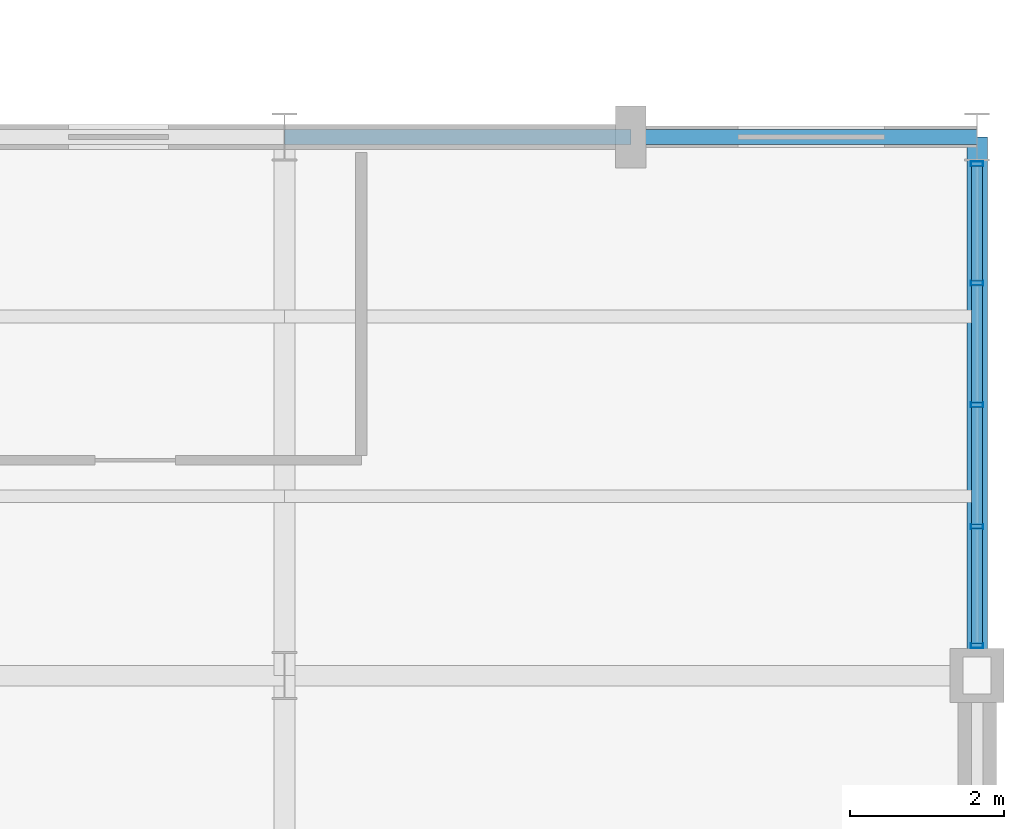
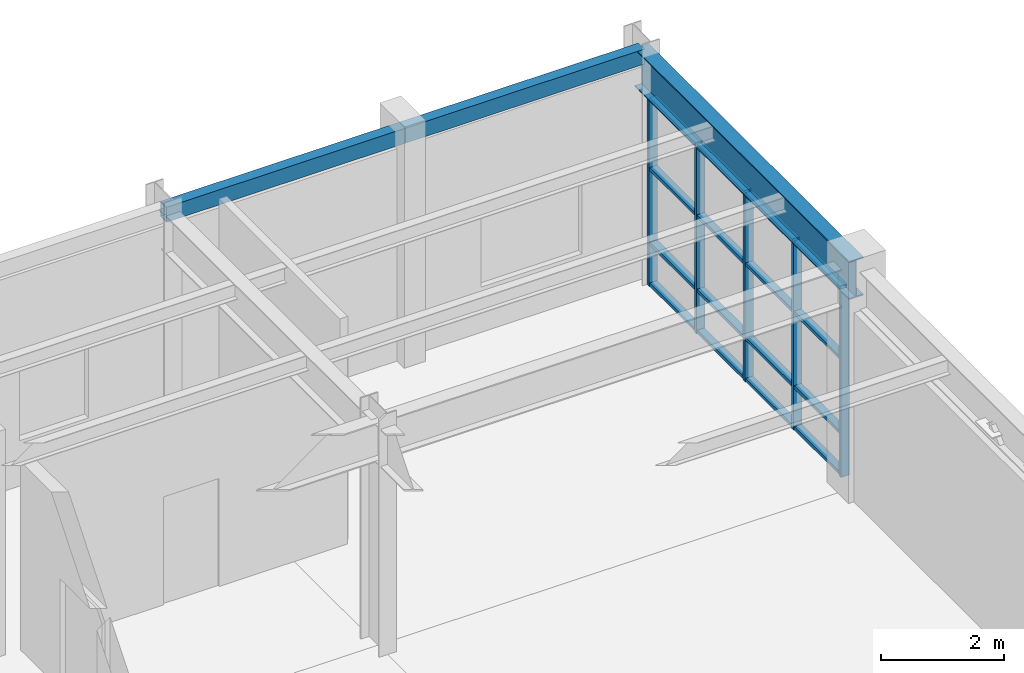
# One storey, part 68 of 99: 21 members, 3 beams, 1 element without a shape of its own.
"""IFC4 building model written with IfcOpenShell, lengths in metres."""

from ifc_helpers import new_model, si_unit, direction, frame, origin, origin_2d, place, context, subcontext, project, spatial, hollow_rectangle, i_section, extrude, material, layer, layer_set, material_profile, profile_set, type_object, element, aggregate, save


model = new_model("IFC4")

# Units and contexts
model_context = context("Model", 3, precision=1e-05, world=origin(), true_north=direction((0.0, 1.0)))
body_context = subcontext(model_context, "Body", "Model", "MODEL_VIEW")
ifc_project = project(units=[si_unit("LENGTHUNIT", "METRE"), si_unit("AREAUNIT", "SQUARE_METRE"), si_unit("VOLUMEUNIT", "CUBIC_METRE"), si_unit("PLANEANGLEUNIT", "RADIAN"), si_unit("MASSUNIT", "GRAM", prefix="KILO")], contexts=[model_context])

# Site, building, storey
site_placement = place(None, origin())
site = spatial("IfcSite", under=ifc_project, at=site_placement, CompositionType="ELEMENT")
building_placement = place(site_placement, origin())
building = spatial("IfcBuilding", under=site, at=building_placement, Name="Ventoquebrada Cableway Terminal", CompositionType="ELEMENT")
storey_placement = place(building_placement, frame((0.0, 0.0, 9.60009765625)))
storey = spatial("IfcBuildingStorey", under=building, at=storey_placement, Name="L02", CompositionType="ELEMENT", Elevation=9.60009765625)

# Beam
ifc_material_1 = material(Name="Steel ASTM A992 Grade 50", Category="steel")
ifc_material_profile_1 = material_profile(ifc_material_1, i_section(OverallWidth=0.26708984375, OverallDepth=0.761962890625, WebThickness=0.014404296875, FlangeThickness=0.021484375, at=origin_2d()), Name="W30X116")
ifc_profile_set_1 = profile_set([ifc_material_profile_1], Name="Steel ASTM A992 Grade 50")
beam_type_1 = type_object("IfcBeamType", Name="BM-ST05", PredefinedType="BEAM", material=ifc_profile_set_1)
beam_placement = place(storey_placement, frame((156.0, 95.0, 4.14892578125), z_axis=(0.0, 1.0, 0.0), x_axis=(-1.0, 0.0, 0.0)))
element("IfcBeam", 1, at=beam_placement, inside=storey, type_object=beam_type_1, Name="Primary frame girder FBM-0884", PredefinedType="BEAM", context=body_context, shape_type="SweptSolid", body=[
    extrude(i_section(OverallWidth=0.26708984375, OverallDepth=0.761962890625, WebThickness=0.014404296875, FlangeThickness=0.021484375, at=origin_2d()), origin(), (0.0, 0.0, 1.0), 7.0),
])

# Curtain wall, members
ifc_material_2 = material(Name="Anodized thermally-broken aluminium", Category="aluminium")
ifc_layer = layer(ifc_material_2, 0.159912109375)
ifc_layer_set = layer_set([ifc_layer], Name="Anodized thermally-broken aluminium")
curtain_wall_type = type_object("IfcCurtainWallType", Name="CW-T35", PredefinedType="USERDEFINED", material=ifc_layer_set)
curtain_wall_placement = place(storey_placement, origin())
curtain_wall = element("IfcCurtainWall", 2, at=curtain_wall_placement, inside=storey, type_object=curtain_wall_type, Name="Unitised glazed curtain wall CW-082", ObjectType="UNITISED CURTAIN WALL", PredefinedType="USERDEFINED")
ifc_material_profile_2 = material_profile(ifc_material_2, hollow_rectangle(XDim=0.06494140625, YDim=0.159912109375, WallThickness=0.00390625, at=origin_2d()), Name="CW-MUL-65X160")
ifc_profile_set_2 = profile_set([ifc_material_profile_2], Name="Anodized thermally-broken aluminium")
member_type_1 = type_object("IfcMemberType", Name="CWM-01", PredefinedType="MULLION", material=ifc_profile_set_2)
member_1_placement = place(storey_placement, frame((156.0, 95.389892578125, -0.008056640625), z_axis=(0.0, 0.0, 1.0), x_axis=(0.0, 1.0, 0.0)))
member_1 = element("IfcMember", 3, at=member_1_placement, type_object=member_type_1, Name="Curtain wall mullion FML-0399", PredefinedType="MULLION", context=body_context, shape_type="SweptSolid", body=[
    extrude(hollow_rectangle(XDim=0.06494140625, YDim=0.159912109375, WallThickness=0.00390625, at=origin_2d()), origin(), (0.0, 0.0, 1.0), 3.77587890625),
])
member_2_placement = place(storey_placement, frame((156.0, 96.93701171875, -0.008056640625), z_axis=(0.0, 0.0, 1.0), x_axis=(0.0, 1.0, 0.0)))
member_2 = element("IfcMember", 4, at=member_2_placement, type_object=member_type_1, Name="Curtain wall mullion FML-0400", PredefinedType="MULLION", context=body_context, shape_type="SweptSolid", body=[
    extrude(hollow_rectangle(XDim=0.06494140625, YDim=0.159912109375, WallThickness=0.00390625, at=origin_2d()), origin(), (0.0, 0.0, 1.0), 3.77587890625),
])
member_3_placement = place(storey_placement, frame((156.0, 98.51904296875, -0.008056640625), z_axis=(0.0, 0.0, 1.0), x_axis=(0.0, 1.0, 0.0)))
member_3 = element("IfcMember", 5, at=member_3_placement, type_object=member_type_1, Name="Curtain wall mullion FML-0401", PredefinedType="MULLION", context=body_context, shape_type="SweptSolid", body=[
    extrude(hollow_rectangle(XDim=0.06494140625, YDim=0.159912109375, WallThickness=0.00390625, at=origin_2d()), origin(), (0.0, 0.0, 1.0), 3.77587890625),
])
member_4_placement = place(storey_placement, frame((156.0, 100.10205078125, -0.008056640625), z_axis=(0.0, 0.0, 1.0), x_axis=(0.0, 1.0, 0.0)))
member_4 = element("IfcMember", 6, at=member_4_placement, type_object=member_type_1, Name="Curtain wall mullion FML-0402", PredefinedType="MULLION", context=body_context, shape_type="SweptSolid", body=[
    extrude(hollow_rectangle(XDim=0.06494140625, YDim=0.159912109375, WallThickness=0.00390625, at=origin_2d()), origin(), (0.0, 0.0, 1.0), 3.77587890625),
])
member_5_placement = place(storey_placement, frame((156.0, 101.64892578125, -0.008056640625), z_axis=(0.0, 0.0, 1.0), x_axis=(0.0, 1.0, 0.0)))
member_5 = element("IfcMember", 7, at=member_5_placement, type_object=member_type_1, Name="Curtain wall mullion FML-0403", PredefinedType="MULLION", context=body_context, shape_type="SweptSolid", body=[
    extrude(hollow_rectangle(XDim=0.06494140625, YDim=0.159912109375, WallThickness=0.00390625, at=origin_2d()), origin(), (0.0, 0.0, 1.0), 3.77587890625),
])
ifc_material_profile_3 = material_profile(ifc_material_2, hollow_rectangle(XDim=0.06494140625, YDim=0.139892578125, WallThickness=0.00390625, at=origin_2d()), Name="CW-TRN-65X140")
ifc_profile_set_3 = profile_set([ifc_material_profile_3], Name="Anodized thermally-broken aluminium")
member_type_2 = type_object("IfcMemberType", Name="CWT-01", PredefinedType="USERDEFINED", material=ifc_profile_set_3)
member_6_placement = place(storey_placement, frame((156.0, 95.41796875, 0.034912109375), z_axis=(0.0, 1.0, 0.0), x_axis=(0.0, 0.0, 1.0)))
member_6 = element("IfcMember", 8, at=member_6_placement, type_object=member_type_2, Name="Curtain wall transom FTR-1176", ObjectType="TRANSOM", PredefinedType="USERDEFINED", context=body_context, shape_type="SweptSolid", body=[
    extrude(hollow_rectangle(XDim=0.06494140625, YDim=0.139892578125, WallThickness=0.00390625, at=origin_2d()), origin(), (0.0, 0.0, 1.0), 1.491943359375),
])
member_7_placement = place(storey_placement, frame((156.0, 95.41796875, 0.849853515625), z_axis=(0.0, 1.0, 0.0), x_axis=(0.0, 0.0, 1.0)))
member_7 = element("IfcMember", 9, at=member_7_placement, type_object=member_type_2, Name="Curtain wall transom FTR-1177", ObjectType="TRANSOM", PredefinedType="USERDEFINED", context=body_context, shape_type="SweptSolid", body=[
    extrude(hollow_rectangle(XDim=0.06494140625, YDim=0.139892578125, WallThickness=0.00390625, at=origin_2d()), origin(), (0.0, 0.0, 1.0), 1.491943359375),
])
member_8_placement = place(storey_placement, frame((156.0, 95.41796875, 2.3330078125), z_axis=(0.0, 1.0, 0.0), x_axis=(0.0, 0.0, 1.0)))
member_8 = element("IfcMember", 10, at=member_8_placement, type_object=member_type_2, Name="Curtain wall transom FTR-1178", ObjectType="TRANSOM", PredefinedType="USERDEFINED", context=body_context, shape_type="SweptSolid", body=[
    extrude(hollow_rectangle(XDim=0.06494140625, YDim=0.139892578125, WallThickness=0.00390625, at=origin_2d()), origin(), (0.0, 0.0, 1.0), 1.491943359375),
])
member_9_placement = place(storey_placement, frame((156.0, 95.41796875, 3.727783203125), z_axis=(0.0, 1.0, 0.0), x_axis=(0.0, 0.0, 1.0)))
member_9 = element("IfcMember", 11, at=member_9_placement, type_object=member_type_2, Name="Curtain wall transom FTR-1179", ObjectType="TRANSOM", PredefinedType="USERDEFINED", context=body_context, shape_type="SweptSolid", body=[
    extrude(hollow_rectangle(XDim=0.06494140625, YDim=0.139892578125, WallThickness=0.00390625, at=origin_2d()), origin(), (0.0, 0.0, 1.0), 1.491943359375),
])
member_10_placement = place(storey_placement, frame((156.0, 96.965087890625, 0.034912109375), z_axis=(0.0, 1.0, 0.0), x_axis=(0.0, 0.0, 1.0)))
member_10 = element("IfcMember", 12, at=member_10_placement, type_object=member_type_2, Name="Curtain wall transom FTR-1180", ObjectType="TRANSOM", PredefinedType="USERDEFINED", context=body_context, shape_type="SweptSolid", body=[
    extrude(hollow_rectangle(XDim=0.06494140625, YDim=0.139892578125, WallThickness=0.00390625, at=origin_2d()), origin(), (0.0, 0.0, 1.0), 1.52685546875),
])
member_11_placement = place(storey_placement, frame((156.0, 96.965087890625, 0.849853515625), z_axis=(0.0, 1.0, 0.0), x_axis=(0.0, 0.0, 1.0)))
member_11 = element("IfcMember", 13, at=member_11_placement, type_object=member_type_2, Name="Curtain wall transom FTR-1181", ObjectType="TRANSOM", PredefinedType="USERDEFINED", context=body_context, shape_type="SweptSolid", body=[
    extrude(hollow_rectangle(XDim=0.06494140625, YDim=0.139892578125, WallThickness=0.00390625, at=origin_2d()), origin(), (0.0, 0.0, 1.0), 1.52685546875),
])
member_12_placement = place(storey_placement, frame((156.0, 96.965087890625, 2.3330078125), z_axis=(0.0, 1.0, 0.0), x_axis=(0.0, 0.0, 1.0)))
member_12 = element("IfcMember", 14, at=member_12_placement, type_object=member_type_2, Name="Curtain wall transom FTR-1182", ObjectType="TRANSOM", PredefinedType="USERDEFINED", context=body_context, shape_type="SweptSolid", body=[
    extrude(hollow_rectangle(XDim=0.06494140625, YDim=0.139892578125, WallThickness=0.00390625, at=origin_2d()), origin(), (0.0, 0.0, 1.0), 1.52685546875),
])
member_13_placement = place(storey_placement, frame((156.0, 96.965087890625, 3.727783203125), z_axis=(0.0, 1.0, 0.0), x_axis=(0.0, 0.0, 1.0)))
member_13 = element("IfcMember", 15, at=member_13_placement, type_object=member_type_2, Name="Curtain wall transom FTR-1183", ObjectType="TRANSOM", PredefinedType="USERDEFINED", context=body_context, shape_type="SweptSolid", body=[
    extrude(hollow_rectangle(XDim=0.06494140625, YDim=0.139892578125, WallThickness=0.00390625, at=origin_2d()), origin(), (0.0, 0.0, 1.0), 1.52685546875),
])
member_14_placement = place(storey_placement, frame((156.0, 98.547119140625, 0.034912109375), z_axis=(0.0, 1.0, 0.0), x_axis=(0.0, 0.0, 1.0)))
member_14 = element("IfcMember", 16, at=member_14_placement, type_object=member_type_2, Name="Curtain wall transom FTR-1184", ObjectType="TRANSOM", PredefinedType="USERDEFINED", context=body_context, shape_type="SweptSolid", body=[
    extrude(hollow_rectangle(XDim=0.06494140625, YDim=0.139892578125, WallThickness=0.00390625, at=origin_2d()), origin(), (0.0, 0.0, 1.0), 1.52685546875),
])
member_15_placement = place(storey_placement, frame((156.0, 98.547119140625, 0.849853515625), z_axis=(0.0, 1.0, 0.0), x_axis=(0.0, 0.0, 1.0)))
member_15 = element("IfcMember", 17, at=member_15_placement, type_object=member_type_2, Name="Curtain wall transom FTR-1185", ObjectType="TRANSOM", PredefinedType="USERDEFINED", context=body_context, shape_type="SweptSolid", body=[
    extrude(hollow_rectangle(XDim=0.06494140625, YDim=0.139892578125, WallThickness=0.00390625, at=origin_2d()), origin(), (0.0, 0.0, 1.0), 1.52685546875),
])
member_16_placement = place(storey_placement, frame((156.0, 98.547119140625, 2.3330078125), z_axis=(0.0, 1.0, 0.0), x_axis=(0.0, 0.0, 1.0)))
member_16 = element("IfcMember", 18, at=member_16_placement, type_object=member_type_2, Name="Curtain wall transom FTR-1186", ObjectType="TRANSOM", PredefinedType="USERDEFINED", context=body_context, shape_type="SweptSolid", body=[
    extrude(hollow_rectangle(XDim=0.06494140625, YDim=0.139892578125, WallThickness=0.00390625, at=origin_2d()), origin(), (0.0, 0.0, 1.0), 1.52685546875),
])
member_17_placement = place(storey_placement, frame((156.0, 98.547119140625, 3.727783203125), z_axis=(0.0, 1.0, 0.0), x_axis=(0.0, 0.0, 1.0)))
member_17 = element("IfcMember", 19, at=member_17_placement, type_object=member_type_2, Name="Curtain wall transom FTR-1187", ObjectType="TRANSOM", PredefinedType="USERDEFINED", context=body_context, shape_type="SweptSolid", body=[
    extrude(hollow_rectangle(XDim=0.06494140625, YDim=0.139892578125, WallThickness=0.00390625, at=origin_2d()), origin(), (0.0, 0.0, 1.0), 1.52685546875),
])
member_18_placement = place(storey_placement, frame((156.0, 100.12890625, 0.034912109375), z_axis=(0.0, 1.0, 0.0), x_axis=(0.0, 0.0, 1.0)))
member_18 = element("IfcMember", 20, at=member_18_placement, type_object=member_type_2, Name="Curtain wall transom FTR-1188", ObjectType="TRANSOM", PredefinedType="USERDEFINED", context=body_context, shape_type="SweptSolid", body=[
    extrude(hollow_rectangle(XDim=0.06494140625, YDim=0.139892578125, WallThickness=0.00390625, at=origin_2d()), origin(), (0.0, 0.0, 1.0), 1.4921875),
])
member_19_placement = place(storey_placement, frame((156.0, 100.12890625, 0.849853515625), z_axis=(0.0, 1.0, 0.0), x_axis=(0.0, 0.0, 1.0)))
member_19 = element("IfcMember", 21, at=member_19_placement, type_object=member_type_2, Name="Curtain wall transom FTR-1189", ObjectType="TRANSOM", PredefinedType="USERDEFINED", context=body_context, shape_type="SweptSolid", body=[
    extrude(hollow_rectangle(XDim=0.06494140625, YDim=0.139892578125, WallThickness=0.00390625, at=origin_2d()), origin(), (0.0, 0.0, 1.0), 1.4921875),
])
member_20_placement = place(storey_placement, frame((156.0, 100.12890625, 2.3330078125), z_axis=(0.0, 1.0, 0.0), x_axis=(0.0, 0.0, 1.0)))
member_20 = element("IfcMember", 22, at=member_20_placement, type_object=member_type_2, Name="Curtain wall transom FTR-1190", ObjectType="TRANSOM", PredefinedType="USERDEFINED", context=body_context, shape_type="SweptSolid", body=[
    extrude(hollow_rectangle(XDim=0.06494140625, YDim=0.139892578125, WallThickness=0.00390625, at=origin_2d()), origin(), (0.0, 0.0, 1.0), 1.4921875),
])
member_21_placement = place(storey_placement, frame((156.0, 100.12890625, 3.727783203125), z_axis=(0.0, 1.0, 0.0), x_axis=(0.0, 0.0, 1.0)))
member_21 = element("IfcMember", 23, at=member_21_placement, type_object=member_type_2, Name="Curtain wall transom FTR-1191", ObjectType="TRANSOM", PredefinedType="USERDEFINED", context=body_context, shape_type="SweptSolid", body=[
    extrude(hollow_rectangle(XDim=0.06494140625, YDim=0.139892578125, WallThickness=0.00390625, at=origin_2d()), origin(), (0.0, 0.0, 1.0), 1.4921875),
])
aggregate(curtain_wall, [member_1, member_2, member_3, member_4, member_5, member_6, member_7, member_8, member_9, member_10, member_11, member_12, member_13, member_14, member_15, member_16, member_17, member_18, member_19, member_20, member_21])

# Beams
ifc_material_3 = material(Name="Steel ASTM A500 Grade C", Category="steel")
ifc_material_profile_4 = material_profile(ifc_material_3, hollow_rectangle(XDim=0.199951171875, YDim=0.300048828125, WallThickness=0.012451171875, at=origin_2d()), Name="RHS300X200X12.5")
ifc_profile_set_4 = profile_set([ifc_material_profile_4], Name="Steel ASTM A500 Grade C")
beam_type_2 = type_object("IfcBeamType", Name="SP-ST02", PredefinedType="SPANDREL", material=ifc_profile_set_4)
for number, where, z_axis, x_axis, name in (
    (24, (147.0, 102.0, 4.3798828125), (1.0, 0.0, 0.0), (0.0, 1.0, 0.0), "Perimeter spandrel beam FBM-0869"),
    (25, (151.5, 102.0, 4.3798828125), (1.0, 0.0, 0.0), (0.0, 1.0, 0.0), "Perimeter spandrel beam FBM-0870"),
):
    element("IfcBeam", number, at=place(storey_placement, frame(where, z_axis=z_axis, x_axis=x_axis)), inside=storey, type_object=beam_type_2, Name=name, PredefinedType="SPANDREL", context=body_context, shape_type="SweptSolid", body=[
        extrude(hollow_rectangle(XDim=0.199951171875, YDim=0.300048828125, WallThickness=0.012451171875, at=origin_2d()), origin(), (0.0, 0.0, 1.0), 4.5),
    ])

save(model, "model.ifc")
